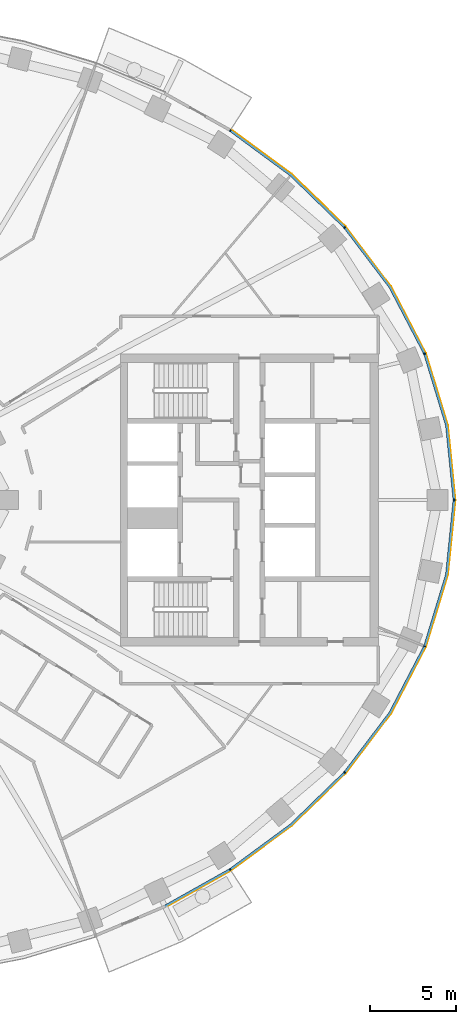
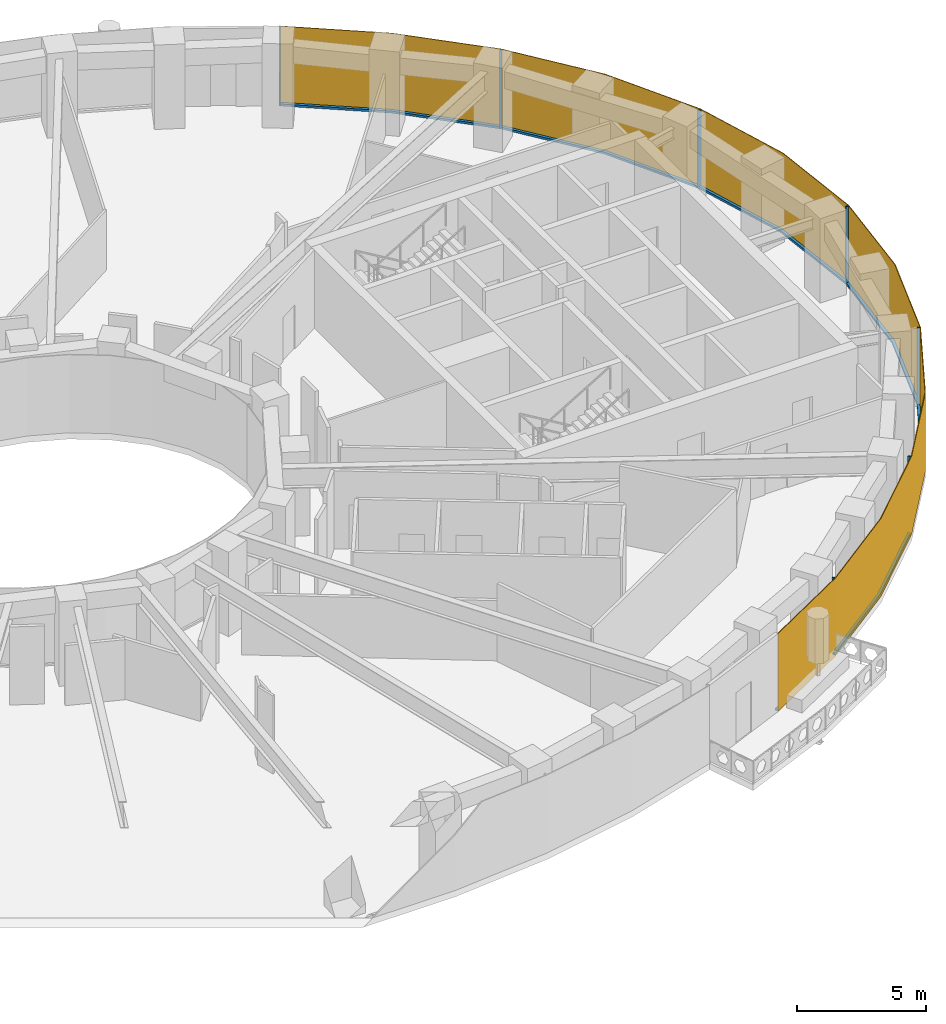
# One storey, part 11 of 15: 14 members, 1 curtain wall.
"""IFC4 building model written with IfcOpenShell, lengths in metres."""

from ifc_helpers import new_model, si_unit, direction, frame, origin, origin_2d, place, context, subcontext, project, spatial, polyline, rectangle, outline, extrude, material, layer, layer_set, material_profile, profile_set, type_object, element, aggregate, save


model = new_model("IFC4")

# Units and contexts
model_context = context("Model", 3, precision=1e-05, world=origin(), true_north=direction((0.0, 1.0)))
body_context = subcontext(model_context, "Body", "Model", "MODEL_VIEW")
ifc_project = project(units=[si_unit("LENGTHUNIT", "METRE"), si_unit("AREAUNIT", "SQUARE_METRE"), si_unit("VOLUMEUNIT", "CUBIC_METRE"), si_unit("PLANEANGLEUNIT", "RADIAN"), si_unit("MASSUNIT", "GRAM", prefix="KILO")], contexts=[model_context])

# Member
ifc_material_1 = material(Name="Aluminium 6063-T6 black anodised", Category="aluminium")
ifc_material_profile = material_profile(ifc_material_1, rectangle(XDim=0.1201171875, YDim=0.06005859375, at=origin_2d()), Name="120x60")
ifc_profile_set = profile_set([ifc_material_profile], Name="Aluminium 6063-T6 black anodised")
member_type_1 = type_object("IfcMemberType", Name="ENV-MULLION-A-120", PredefinedType="MULLION", material=ifc_profile_set)
site_placement = place(None, origin())
building_placement = place(site_placement, origin())
storey_placement = place(building_placement, frame((0.0, 0.0, 158.0)))
member_1_placement = place(storey_placement, frame((22.882568359375, -21.506591796875, 0.0), z_axis=(0.0, 0.0, 1.0), x_axis=(-0.542279153225, 0.840198381323, 0.0)))
member_1 = element("IfcMember", 1, at=member_1_placement, type_object=member_type_1, Name="Mullion A radial 41", PredefinedType="MULLION", context=body_context, shape_type="SweptSolid", body=[
    extrude(rectangle(XDim=0.1201171875, YDim=0.06005859375, at=origin_2d()), origin(), (0.0, 0.0, 1.0), 3.699951171875),
])

member_2_placement = place(storey_placement, frame((29.53857421875, -15.8671875, 0.0), z_axis=(0.0, 0.0, 1.0), x_axis=(-0.749047221705, 0.662516610853, 0.0)))
member_2 = element("IfcMember", 2, at=member_2_placement, type_object=member_type_1, Name="Mullion A radial 43", PredefinedType="MULLION", context=body_context, shape_type="SweptSolid", body=[
    extrude(rectangle(XDim=0.1201171875, YDim=0.06005859375, at=origin_2d()), origin(), (0.0, 0.0, 1.0), 3.699951171875),
])

member_3_placement = place(storey_placement, frame((34.19580078125, -8.513916015625, 0.0), z_axis=(0.0, 0.0, 1.0), x_axis=(-0.92546738067, 0.378827305398, 0.0)))
member_3 = element("IfcMember", 3, at=member_3_placement, type_object=member_type_1, Name="Mullion A radial 45", PredefinedType="MULLION", context=body_context, shape_type="SweptSolid", body=[
    extrude(rectangle(XDim=0.1201171875, YDim=0.06005859375, at=origin_2d()), origin(), (0.0, 0.0, 1.0), 3.699951171875),
])

member_4_placement = place(storey_placement, frame((35.907958984375, 0.0, 0.0), z_axis=(0.0, 0.0, 1.0), x_axis=(-1.0, 0.0, 0.0)))
member_4 = element("IfcMember", 4, at=member_4_placement, type_object=member_type_1, Name="Mullion A radial 01", PredefinedType="MULLION", context=body_context, shape_type="SweptSolid", body=[
    extrude(rectangle(XDim=0.1201171875, YDim=0.06005859375, at=origin_2d()), origin(), (0.0, 0.0, 1.0), 3.699951171875),
])

member_5_placement = place(storey_placement, frame((34.19580078125, 8.513916015625, 0.0), z_axis=(0.0, 0.0, 1.0), x_axis=(-0.92546738067, -0.378827305398, 0.0)))
member_5 = element("IfcMember", 5, at=member_5_placement, type_object=member_type_1, Name="Mullion A radial 03", PredefinedType="MULLION", context=body_context, shape_type="SweptSolid", body=[
    extrude(rectangle(XDim=0.1201171875, YDim=0.06005859375, at=origin_2d()), origin(), (0.0, 0.0, 1.0), 3.699951171875),
])

member_6_placement = place(storey_placement, frame((29.53857421875, 15.8671875, 0.0), z_axis=(0.0, 0.0, 1.0), x_axis=(-0.749047221705, -0.662516610853, 0.0)))
member_6 = element("IfcMember", 6, at=member_6_placement, type_object=member_type_1, Name="Mullion A radial 05", PredefinedType="MULLION", context=body_context, shape_type="SweptSolid", body=[
    extrude(rectangle(XDim=0.1201171875, YDim=0.06005859375, at=origin_2d()), origin(), (0.0, 0.0, 1.0), 3.699951171875),
])

member_7_placement = place(storey_placement, frame((22.882568359375, 21.506591796875, 0.0), z_axis=(0.0, 0.0, 1.0), x_axis=(-0.542279153225, -0.840198381323, 0.0)))
member_7 = element("IfcMember", 7, at=member_7_placement, type_object=member_type_1, Name="Mullion A radial 07", PredefinedType="MULLION", context=body_context, shape_type="SweptSolid", body=[
    extrude(rectangle(XDim=0.1201171875, YDim=0.06005859375, at=origin_2d()), origin(), (0.0, 0.0, 1.0), 3.699951171875),
])

ifc_material_2 = material(Name="Aluminium 6063-T6 black anodised", Category="aluminium")
member_type_2 = type_object("IfcMemberType", Name="ENV-TRANSOM-A", PredefinedType="USERDEFINED", material=ifc_material_2)
member_8_placement = place(storey_placement, origin())
member_8 = element("IfcMember", 8, at=member_8_placement, type_object=member_type_2, Name="Transom A radial 40-41", ObjectType="TRANSOM", PredefinedType="USERDEFINED", context=body_context, shape_type="SweptSolid", body=[
    extrude(outline(polyline([(19.111572265625, -23.691650390625), (22.890625, -21.570556640625), (22.825439453125, -21.469482421875), (19.058837890625, -23.58349609375), (19.111572265625, -23.691650390625)])), origin(), (0.0, 0.0, 1.0), 0.10009765625),
])

member_9_placement = place(storey_placement, origin())
member_9 = element("IfcMember", 9, at=member_9_placement, type_object=member_type_2, Name="Transom A radial 41-43", ObjectType="TRANSOM", PredefinedType="USERDEFINED", context=body_context, shape_type="SweptSolid", body=[
    extrude(outline(polyline([(22.937744140625, -21.540283203125), (26.4423828125, -18.958740234375), (29.5634765625, -15.926513671875), (29.473388671875, -15.8466796875), (26.364501953125, -18.866943359375), (22.87255859375, -21.439208984375), (22.937744140625, -21.540283203125)])), origin(), (0.0, 0.0, 1.0), 0.10009765625),
])

member_10_placement = place(storey_placement, origin())
member_10 = element("IfcMember", 10, at=member_10_placement, type_object=member_type_2, Name="Transom A radial 43-45", ObjectType="TRANSOM", PredefinedType="USERDEFINED", context=body_context, shape_type="SweptSolid", body=[
    extrude(outline(polyline([(29.6005859375, -15.884521484375), (32.22802734375, -12.41748046875), (34.23828125, -8.5615234375), (34.126708984375, -8.515869140625), (32.126220703125, -12.35302734375), (29.51025390625, -15.8046875), (29.6005859375, -15.884521484375)])), origin(), (0.0, 0.0, 1.0), 0.10009765625),
])

member_11_placement = place(storey_placement, origin())
member_11 = element("IfcMember", 11, at=member_11_placement, type_object=member_type_2, Name="Transom A radial 45-01", ObjectType="TRANSOM", PredefinedType="USERDEFINED", context=body_context, shape_type="SweptSolid", body=[
    extrude(outline(polyline([(34.259521484375, -8.509765625), (35.529541015625, -4.352294921875), (35.965087890625, -0.02783203125), (35.844482421875, -0.02783203125), (35.411376953125, -4.32861328125), (34.14794921875, -8.464111328125), (34.259521484375, -8.509765625)])), origin(), (0.0, 0.0, 1.0), 0.10009765625),
])

member_12_placement = place(storey_placement, origin())
member_12 = element("IfcMember", 12, at=member_12_placement, type_object=member_type_2, Name="Transom A radial 01-03", ObjectType="TRANSOM", PredefinedType="USERDEFINED", context=body_context, shape_type="SweptSolid", body=[
    extrude(outline(polyline([(35.965087890625, 0.02783203125), (35.529541015625, 4.352294921875), (34.259521484375, 8.509765625), (34.14794921875, 8.464111328125), (35.411376953125, 4.32861328125), (35.844482421875, 0.02783203125), (35.965087890625, 0.02783203125)])), origin(), (0.0, 0.0, 1.0), 0.10009765625),
])

member_13_placement = place(storey_placement, origin())
member_13 = element("IfcMember", 13, at=member_13_placement, type_object=member_type_2, Name="Transom A radial 03-05", ObjectType="TRANSOM", PredefinedType="USERDEFINED", context=body_context, shape_type="SweptSolid", body=[
    extrude(outline(polyline([(34.23828125, 8.5615234375), (32.22802734375, 12.41748046875), (29.6005859375, 15.884521484375), (29.51025390625, 15.8046875), (32.126220703125, 12.35302734375), (34.126708984375, 8.515869140625), (34.23828125, 8.5615234375)])), origin(), (0.0, 0.0, 1.0), 0.10009765625),
])

member_14_placement = place(storey_placement, origin())
member_14 = element("IfcMember", 14, at=member_14_placement, type_object=member_type_2, Name="Transom A radial 05-07", ObjectType="TRANSOM", PredefinedType="USERDEFINED", context=body_context, shape_type="SweptSolid", body=[
    extrude(outline(polyline([(29.5634765625, 15.926513671875), (26.4423828125, 18.958740234375), (22.937744140625, 21.540283203125), (22.87255859375, 21.439208984375), (26.364501953125, 18.866943359375), (29.473388671875, 15.8466796875), (29.5634765625, 15.926513671875)])), origin(), (0.0, 0.0, 1.0), 0.10009765625),
])

# Site, building, storey
site = spatial("IfcSite", under=ifc_project, at=site_placement, CompositionType="ELEMENT")
building = spatial("IfcBuilding", under=site, at=building_placement, Name="Noorbagh Ring Tower", CompositionType="ELEMENT")
storey = spatial("IfcBuildingStorey", under=building, at=storey_placement, Name="L36", CompositionType="ELEMENT", Elevation=158.0)

# Curtain wall
ifc_material_3 = material(Name="Glass dark tinted laminated", Category="glass")
ifc_layer = layer(ifc_material_3, 0.031982421875)
ifc_layer_set = layer_set([ifc_layer], Name="Glass dark tinted laminated")
curtain_wall_type = type_object("IfcCurtainWallType", Name="ENV-CW-A", PredefinedType="NOTDEFINED", material=ifc_layer_set)
curtain_wall_placement = place(storey_placement, origin())
curtain_wall = element("IfcCurtainWall", 15, at=curtain_wall_placement, inside=storey, type_object=curtain_wall_type, Name="Curtain wall A R40", PredefinedType="NOTDEFINED", context=body_context, shape_type="SweptSolid", body=[
    extrude(outline(polyline([(19.125732421875, -23.720458984375), (22.9326171875, -21.583740234375), (26.463134765625, -18.9833984375), (29.607666015625, -15.927978515625), (32.255126953125, -12.434814453125), (34.281005859375, -8.548828125), (35.561279296875, -4.358642578125), (36.0, 0.0), (35.561279296875, 4.358642578125), (34.281005859375, 8.548828125), (32.255126953125, 12.434814453125), (29.607666015625, 15.927978515625), (26.463134765625, 18.9833984375), (22.948486328125, 21.572021484375), (22.931396484375, 21.544921875), (26.4423828125, 18.958740234375), (29.58349609375, 15.906982421875), (32.22802734375, 12.41748046875), (34.251220703125, 8.53662109375), (35.529541015625, 4.352294921875), (35.9677734375, 0.0), (35.529541015625, -4.352294921875), (34.251220703125, -8.53662109375), (32.22802734375, -12.41748046875), (29.58349609375, -15.906982421875), (26.4423828125, -18.958740234375), (22.9150390625, -21.556884765625), (19.111572265625, -23.691650390625), (19.125732421875, -23.720458984375)])), origin(), (0.0, 0.0, 1.0), 3.699951171875),
])

aggregate(curtain_wall, [member_1, member_2, member_3, member_4, member_5, member_6, member_7, member_8, member_9, member_10, member_11, member_12, member_13, member_14])

save(model, "model.ifc")
